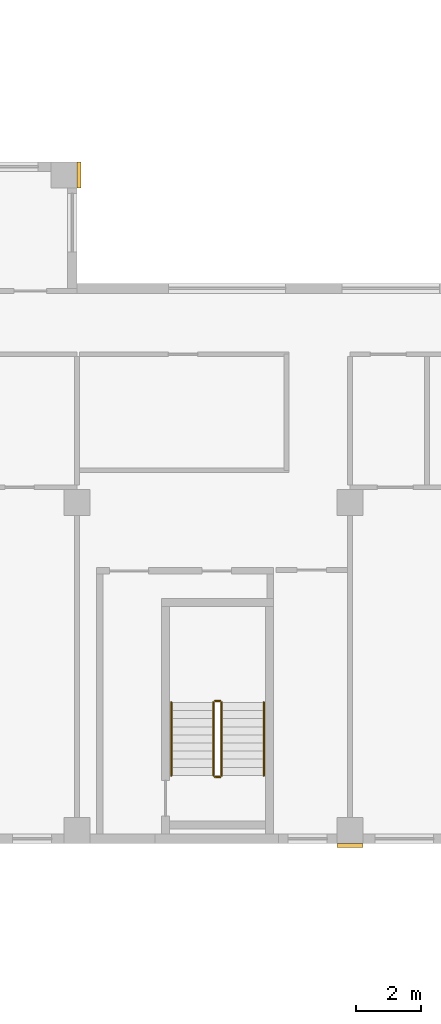
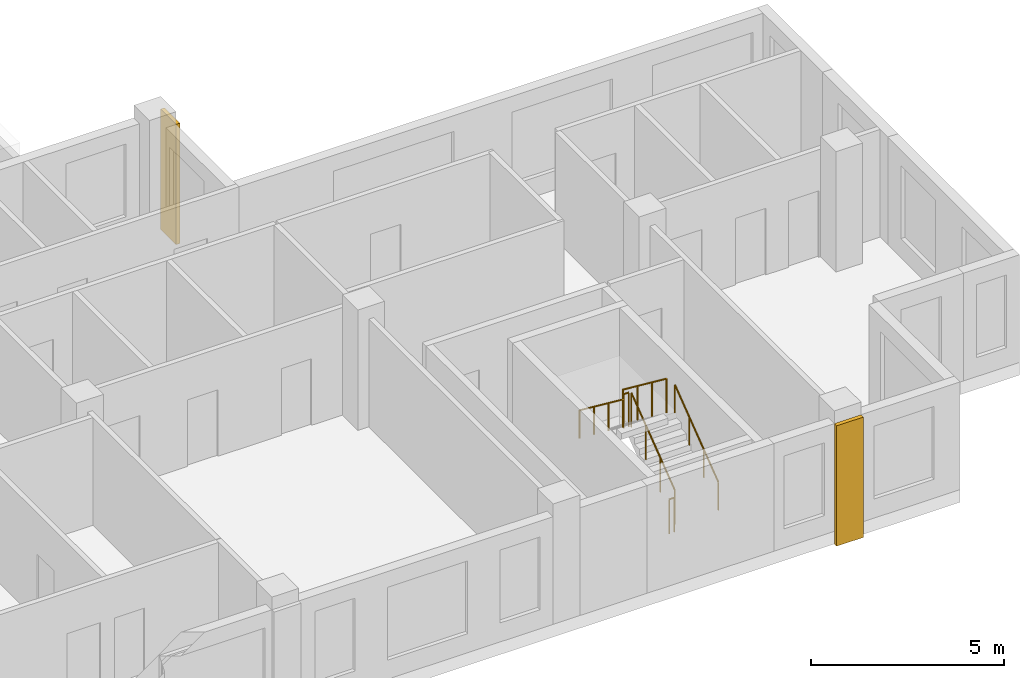
# One storey, part 11 of 12: 6 railings, 2 coverings.
"""IFC4 building model written with IfcOpenShell, lengths in metres."""

from ifc_helpers import new_model, si_unit, direction, frame, origin, origin_2d, place, context, subcontext, project, spatial, rectangle, circle, extrude, source, transform, mapped, material, type_object, element, save


model = new_model("IFC4")

# Units and contexts
model_context = context("Model", 3, precision=1e-05, world=origin(), true_north=direction((0.0, 1.0)))
body_context = subcontext(model_context, "Body", "Model", "MODEL_VIEW")
ifc_project = project(units=[si_unit("LENGTHUNIT", "METRE"), si_unit("AREAUNIT", "SQUARE_METRE"), si_unit("VOLUMEUNIT", "CUBIC_METRE"), si_unit("PLANEANGLEUNIT", "RADIAN"), si_unit("MASSUNIT", "GRAM", prefix="KILO")], contexts=[model_context])

# Site, building, storey
site_placement = place(None, origin())
site = spatial("IfcSite", under=ifc_project, at=site_placement, CompositionType="ELEMENT")
building_placement = place(site_placement, origin())
building = spatial("IfcBuilding", under=site, at=building_placement, Name="Aurelian Terraces", CompositionType="ELEMENT")
storey_placement = place(building_placement, frame((0.0, 0.0, 246.2)))
storey = spatial("IfcBuildingStorey", under=building, at=storey_placement, Name="L56", CompositionType="ELEMENT", Elevation=246.2)

# Coverings
ifc_material_1 = material(Name="Terracotta rainscreen cladding relief", Category="masonry")
covering_type = type_object("IfcCoveringType", Name="BAGUETTE-TC", PredefinedType="CLADDING", material=ifc_material_1)
shared_shape_1 = source(origin(), body_context, "Body", "SweptSolid", [
    extrude(rectangle(XDim=0.8, YDim=0.12, at=origin_2d()), origin(), (0.0, 0.0, 1.0), 3.8),
])
covering_1_placement = place(storey_placement, frame((46.2, -0.06, -0.4), z_axis=(0.0, 0.0, 1.0), x_axis=(1.0, 0.0, 0.0)))
element("IfcCovering", 1, at=covering_1_placement, inside=storey, type_object=covering_type, Name="BAGUETTE pier L56 3", PredefinedType="CLADDING", context=body_context, shape_type="MappedRepresentation", body=[
    mapped(shared_shape_1, transform((0.0, 0.0, 0.0), scale=1.0)),
])
shared_shape_2 = source(origin(), body_context, "Body", "SweptSolid", [
    extrude(rectangle(XDim=0.12, YDim=0.8, at=origin_2d()), origin(), (0.0, 0.0, 1.0), 3.8),
])
covering_2_placement = place(storey_placement, frame((37.86, 20.6, -0.4), z_axis=(0.0, 0.0, 1.0), x_axis=(1.0, 0.0, 0.0)))
element("IfcCovering", 2, at=covering_2_placement, inside=storey, type_object=covering_type, Name="BAGUETTE pier L56 5", PredefinedType="CLADDING", context=body_context, shape_type="MappedRepresentation", body=[
    mapped(shared_shape_2, transform((0.0, 0.0, 0.0), scale=1.0)),
])

# Railings
ifc_material_2 = material(Name="Stainless steel", Category="steel")
railing_type_1 = type_object("IfcRailingType", Name="Stair guard 1100", PredefinedType="GUARDRAIL", material=ifc_material_2)
shared_shape_3 = source(origin(), body_context, "Body", "SweptSolid", [
    extrude(circle(Radius=0.024, at=origin_2d()), frame((0.0, 0.0, 1.076), z_axis=(-1.0, 0.0, 0.0), x_axis=(0.0, -1.0, 0.0)), (0.0, 0.0, 1.0), 0.15),
    extrude(circle(Radius=0.021, at=origin_2d()), origin(), (0.0, 0.0, 1.0), 1.052),
    extrude(circle(Radius=0.021, at=origin_2d()), frame((-0.15, 0.0, 0.0)), (0.0, 0.0, 1.0), 1.052),
])
for number, where, name in (
    (3, (42.2, 4.4, 1.9), "L56 S2 stair guard 2"),
    (4, (42.2, 2.05, 0.0), "L56 S2 stair guard 4"),
):
    element("IfcRailing", number, at=place(storey_placement, frame(where)), inside=storey, type_object=railing_type_1, Name=name, PredefinedType="GUARDRAIL", context=body_context, shape_type="MappedRepresentation", body=[
        mapped(shared_shape_3, transform((0.0, 0.0, 0.0), scale=1.0)),
    ])
shared_shape_4 = source(origin(), body_context, "Body", "SweptSolid", [
    extrude(circle(Radius=0.024, at=origin_2d()), frame((0.0, 0.0, 1.076), z_axis=(0.0, 0.796162194123, 0.605083267534), x_axis=(-1.0, 0.0, 0.0)), (0.0, 0.0, 1.0), 2.8261),
    extrude(circle(Radius=0.021, at=origin_2d()), origin(), (0.0, 0.0, 1.0), 1.052),
    extrude(circle(Radius=0.021, at=origin_2d()), frame((0.0, 0.75, 0.57)), (0.0, 0.0, 1.0), 1.052),
    extrude(circle(Radius=0.021, at=origin_2d()), frame((0.0, 1.5, 1.14)), (0.0, 0.0, 1.0), 1.052),
    extrude(circle(Radius=0.021, at=origin_2d()), frame((0.0, 2.25, 1.71)), (0.0, 0.0, 1.0), 1.052),
])
railing_1_placement = place(storey_placement, frame((42.25, 2.1, 0.19)))
element("IfcRailing", 5, at=railing_1_placement, inside=storey, type_object=railing_type_1, Name="L56 S2 stair guard 1", PredefinedType="GUARDRAIL", context=body_context, shape_type="MappedRepresentation", body=[
    mapped(shared_shape_4, transform((0.0, 0.0, 0.0), scale=1.0)),
])
shared_shape_5 = source(origin(), body_context, "Body", "SweptSolid", [
    extrude(circle(Radius=0.024, at=origin_2d()), frame((0.0, 0.0, 1.076), z_axis=(0.0, -0.796162194123, 0.605083267534), x_axis=(1.0, 0.0, 0.0)), (0.0, 0.0, 1.0), 2.8261),
    extrude(circle(Radius=0.021, at=origin_2d()), origin(), (0.0, 0.0, 1.0), 1.052),
    extrude(circle(Radius=0.021, at=origin_2d()), frame((0.0, -0.75, 0.57)), (0.0, 0.0, 1.0), 1.052),
    extrude(circle(Radius=0.021, at=origin_2d()), frame((0.0, -1.5, 1.14)), (0.0, 0.0, 1.0), 1.052),
    extrude(circle(Radius=0.021, at=origin_2d()), frame((0.0, -2.25, 1.71)), (0.0, 0.0, 1.0), 1.052),
])
railing_2_placement = place(storey_placement, frame((42.0, 4.35, 2.09)))
element("IfcRailing", 6, at=railing_2_placement, inside=storey, type_object=railing_type_1, Name="L56 S2 stair guard 3", PredefinedType="GUARDRAIL", context=body_context, shape_type="MappedRepresentation", body=[
    mapped(shared_shape_5, transform((0.0, 0.0, 0.0), scale=1.0)),
])
railing_type_2 = type_object("IfcRailingType", Name="Stair handrail", PredefinedType="HANDRAIL", material=ifc_material_2)
shared_shape_6 = source(origin(), body_context, "Body", "SweptSolid", [
    extrude(circle(Radius=0.024, at=origin_2d()), frame((0.0, 0.0, 0.876), z_axis=(0.0, 0.796162194123, 0.605083267534), x_axis=(-1.0, 0.0, 0.0)), (0.0, 0.0, 1.0), 2.8261),
    extrude(circle(Radius=0.021, at=origin_2d()), origin(), (0.0, 0.0, 1.0), 0.852),
    extrude(circle(Radius=0.021, at=origin_2d()), frame((0.0, 0.75, 0.57)), (0.0, 0.0, 1.0), 0.852),
    extrude(circle(Radius=0.021, at=origin_2d()), frame((0.0, 1.5, 1.14)), (0.0, 0.0, 1.0), 0.852),
    extrude(circle(Radius=0.021, at=origin_2d()), frame((0.0, 2.25, 1.71)), (0.0, 0.0, 1.0), 0.852),
])
railing_3_placement = place(storey_placement, frame((43.55, 2.1, 0.19)))
element("IfcRailing", 7, at=railing_3_placement, inside=storey, type_object=railing_type_2, Name="L56 S2 stair handrail 1", PredefinedType="HANDRAIL", context=body_context, shape_type="MappedRepresentation", body=[
    mapped(shared_shape_6, transform((0.0, 0.0, 0.0), scale=1.0)),
])
shared_shape_7 = source(origin(), body_context, "Body", "SweptSolid", [
    extrude(circle(Radius=0.024, at=origin_2d()), frame((0.0, 0.0, 0.876), z_axis=(0.0, -0.796162194123, 0.605083267534), x_axis=(1.0, 0.0, 0.0)), (0.0, 0.0, 1.0), 2.8261),
    extrude(circle(Radius=0.021, at=origin_2d()), origin(), (0.0, 0.0, 1.0), 0.852),
    extrude(circle(Radius=0.021, at=origin_2d()), frame((0.0, -0.75, 0.57)), (0.0, 0.0, 1.0), 0.852),
    extrude(circle(Radius=0.021, at=origin_2d()), frame((0.0, -1.5, 1.14)), (0.0, 0.0, 1.0), 0.852),
    extrude(circle(Radius=0.021, at=origin_2d()), frame((0.0, -2.25, 1.71)), (0.0, 0.0, 1.0), 0.852),
])
railing_4_placement = place(storey_placement, frame((40.7, 4.35, 2.09)))
element("IfcRailing", 8, at=railing_4_placement, inside=storey, type_object=railing_type_2, Name="L56 S2 stair handrail 2", PredefinedType="HANDRAIL", context=body_context, shape_type="MappedRepresentation", body=[
    mapped(shared_shape_7, transform((0.0, 0.0, 0.0), scale=1.0)),
])

save(model, "model.ifc")
